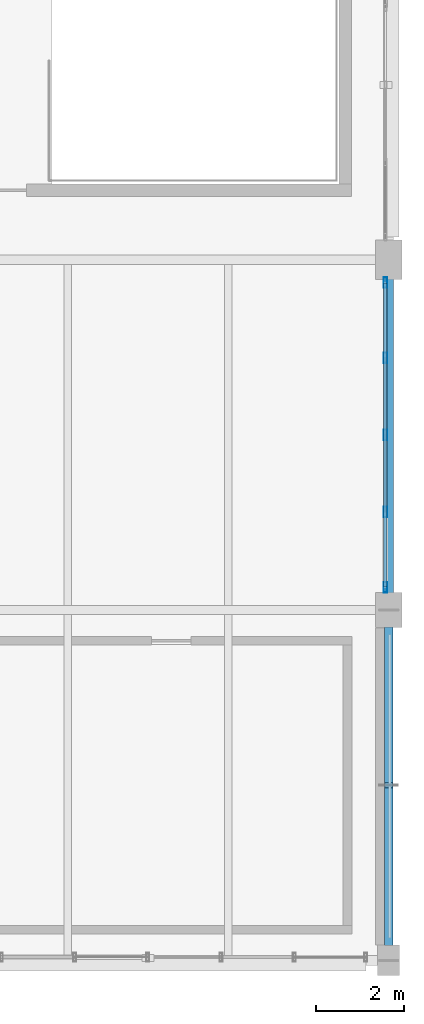
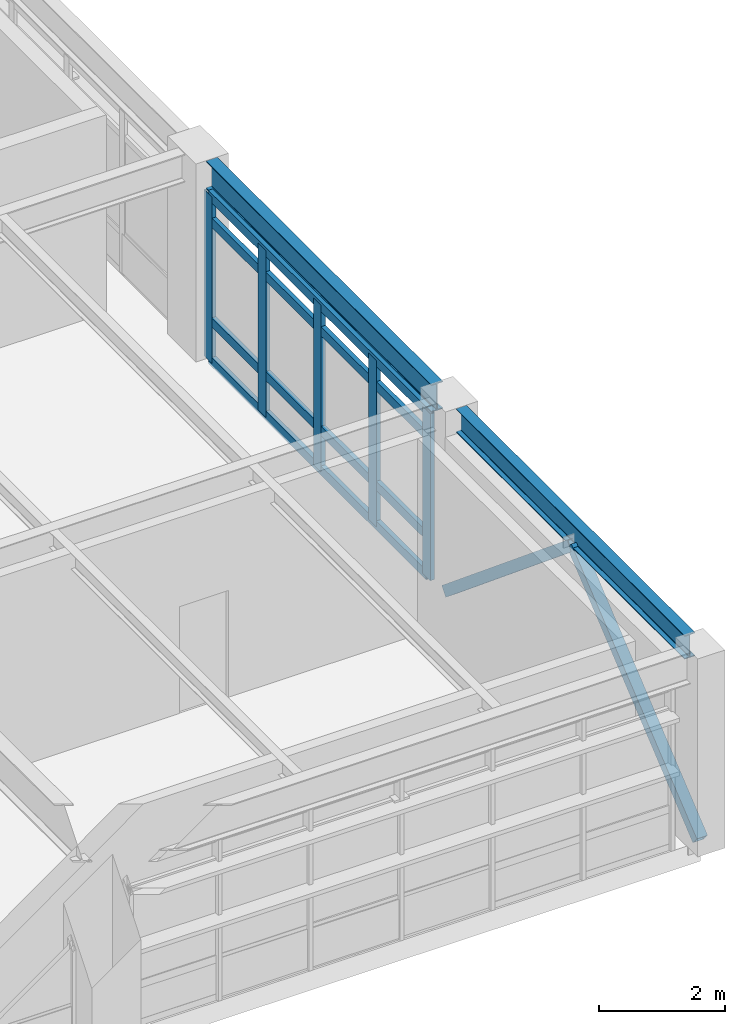
# One storey, part 19 of 26: 11 members, 2 beams, 1 element without a shape of its own.
"""IFC4 building model written with IfcOpenShell, lengths in metres."""

from ifc_helpers import new_model, si_unit, direction, frame, origin, origin_2d, place, context, subcontext, project, spatial, hollow_rectangle, i_section, extrude, material, material_profile, profile_set, type_object, element, aggregate, save


model = new_model("IFC4")

# Units and contexts
model_context = context("Model", 3, precision=1e-05, world=origin(), true_north=direction((0.0, 1.0)))
body_context = subcontext(model_context, "Body", "Model", "MODEL_VIEW")
ifc_project = project(units=[si_unit("LENGTHUNIT", "METRE"), si_unit("AREAUNIT", "SQUARE_METRE"), si_unit("VOLUMEUNIT", "CUBIC_METRE"), si_unit("PLANEANGLEUNIT", "RADIAN"), si_unit("MASSUNIT", "GRAM", prefix="KILO"), si_unit("THERMODYNAMICTEMPERATUREUNIT", "KELVIN"), si_unit("POWERUNIT", "WATT")], contexts=[model_context])

# Site, building, storey
site_placement = place(None, origin())
site = spatial("IfcSite", under=ifc_project, at=site_placement, CompositionType="ELEMENT")
building_placement = place(site_placement, origin())
building = spatial("IfcBuilding", under=site, at=building_placement, Name="Tepalcoro Natatorium and Aquatics Centre", CompositionType="ELEMENT")
storey_placement = place(building_placement, frame((0.0, 0.0, 19.0)))
storey = spatial("IfcBuildingStorey", under=building, at=storey_placement, Name="L04", CompositionType="ELEMENT", Elevation=19.0)

# Curtain wall, members
ifc_material_1 = material(Name="Bronze-Anodised Extruded Aluminium Alloy EN AW-6063 T6", Category="aluminium")
curtain_wall_type = type_object("IfcCurtainWallType", Name="CW_LEAN_T2_NS", PredefinedType="USERDEFINED", material=ifc_material_1)
curtain_wall_placement = place(storey_placement, origin())
curtain_wall = element("IfcCurtainWall", 1, at=curtain_wall_placement, inside=storey, type_object=curtain_wall_type, Name="V5 L04 E Unitised Curtain Wall Bay 2", ObjectType="FACETED SOLAR GLAZING", PredefinedType="USERDEFINED")
ifc_material_profile_1 = material_profile(ifc_material_1, hollow_rectangle(XDim=0.080078125, YDim=0.239990234375, WallThickness=0.0048828125, at=origin_2d()), Name="AL80X240X5")
ifc_profile_set_1 = profile_set([ifc_material_profile_1], Name="Bronze-Anodised Extruded Aluminium Alloy EN AW-6063 T6")
member_type_1 = type_object("IfcMemberType", Name="CW_MUL_80x240", PredefinedType="MULLION", material=ifc_profile_set_1)
member_1_placement = place(storey_placement, frame((175.923828125, 102.52001953125, 0.02001953125), z_axis=(0.0, 0.0, 1.0), x_axis=(1.0, 0.0, 0.0)))
member_1 = element("IfcMember", 2, at=member_1_placement, type_object=member_type_1, Name="CW_LEAN_T2_NS Curtain Wall Mullion", PredefinedType="MULLION", context=body_context, shape_type="SweptSolid", body=[
    extrude(hollow_rectangle(XDim=0.080078125, YDim=0.239990234375, WallThickness=0.0048828125, at=origin_2d()), origin(), (0.0, 0.0, 1.0), 3.243896484375),
])
member_2_placement = place(storey_placement, frame((175.923828125, 104.239990234375, 0.02001953125), z_axis=(0.0, 0.0, 1.0), x_axis=(1.0, 0.0, 0.0)))
member_2 = element("IfcMember", 3, at=member_2_placement, type_object=member_type_1, Name="CW_LEAN_T2_NS Curtain Wall Mullion", PredefinedType="MULLION", context=body_context, shape_type="SweptSolid", body=[
    extrude(hollow_rectangle(XDim=0.080078125, YDim=0.239990234375, WallThickness=0.0048828125, at=origin_2d()), origin(), (0.0, 0.0, 1.0), 3.243896484375),
])
member_3_placement = place(storey_placement, frame((175.923828125, 106.0, 0.02001953125), z_axis=(0.0, 0.0, 1.0), x_axis=(1.0, 0.0, 0.0)))
member_3 = element("IfcMember", 4, at=member_3_placement, type_object=member_type_1, Name="CW_LEAN_T2_NS Curtain Wall Mullion", PredefinedType="MULLION", context=body_context, shape_type="SweptSolid", body=[
    extrude(hollow_rectangle(XDim=0.080078125, YDim=0.239990234375, WallThickness=0.0048828125, at=origin_2d()), origin(), (0.0, 0.0, 1.0), 3.243896484375),
])
member_4_placement = place(storey_placement, frame((175.923828125, 107.760009765625, 0.02001953125), z_axis=(0.0, 0.0, 1.0), x_axis=(1.0, 0.0, 0.0)))
member_4 = element("IfcMember", 5, at=member_4_placement, type_object=member_type_1, Name="CW_LEAN_T2_NS Curtain Wall Mullion", PredefinedType="MULLION", context=body_context, shape_type="SweptSolid", body=[
    extrude(hollow_rectangle(XDim=0.080078125, YDim=0.239990234375, WallThickness=0.0048828125, at=origin_2d()), origin(), (0.0, 0.0, 1.0), 3.243896484375),
])
member_5_placement = place(storey_placement, frame((175.923828125, 109.47998046875, 0.02001953125), z_axis=(0.0, 0.0, 1.0), x_axis=(1.0, 0.0, 0.0)))
member_5 = element("IfcMember", 6, at=member_5_placement, type_object=member_type_1, Name="CW_LEAN_T2_NS Curtain Wall Mullion", PredefinedType="MULLION", context=body_context, shape_type="SweptSolid", body=[
    extrude(hollow_rectangle(XDim=0.080078125, YDim=0.239990234375, WallThickness=0.0048828125, at=origin_2d()), origin(), (0.0, 0.0, 1.0), 3.243896484375),
])
ifc_material_profile_2 = material_profile(ifc_material_1, hollow_rectangle(XDim=0.080078125, YDim=0.179931640625, WallThickness=0.0048828125, at=origin_2d()), Name="AL80X180X5")
ifc_profile_set_2 = profile_set([ifc_material_profile_2], Name="Bronze-Anodised Extruded Aluminium Alloy EN AW-6063 T6")
member_type_2 = type_object("IfcMemberType", Name="CW_TRN_80x180", PredefinedType="USERDEFINED", material=ifc_profile_set_2)
member_6_placement = place(storey_placement, frame((175.923828125, 102.530029296875, 0.050048828125), z_axis=(0.0, 1.0, 0.0), x_axis=(-1.0, 0.0, 0.0)))
member_6 = element("IfcMember", 7, at=member_6_placement, type_object=member_type_2, Name="CW_LEAN_T2_NS Curtain Wall Transom", ObjectType="TRANSOM", PredefinedType="USERDEFINED", context=body_context, shape_type="SweptSolid", body=[
    extrude(hollow_rectangle(XDim=0.080078125, YDim=0.179931640625, WallThickness=0.0048828125, at=origin_2d()), origin(), (0.0, 0.0, 1.0), 6.93994140625),
])
member_7_placement = place(storey_placement, frame((175.923828125, 102.530029296875, 0.821044921875), z_axis=(0.0, 1.0, 0.0), x_axis=(-1.0, 0.0, 0.0)))
member_7 = element("IfcMember", 8, at=member_7_placement, type_object=member_type_2, Name="CW_LEAN_T2_NS Curtain Wall Transom", ObjectType="TRANSOM", PredefinedType="USERDEFINED", context=body_context, shape_type="SweptSolid", body=[
    extrude(hollow_rectangle(XDim=0.080078125, YDim=0.179931640625, WallThickness=0.0048828125, at=origin_2d()), origin(), (0.0, 0.0, 1.0), 6.93994140625),
])
member_8_placement = place(storey_placement, frame((175.923828125, 102.530029296875, 2.758544921875), z_axis=(0.0, 1.0, 0.0), x_axis=(-1.0, 0.0, 0.0)))
member_8 = element("IfcMember", 9, at=member_8_placement, type_object=member_type_2, Name="CW_LEAN_T2_NS Curtain Wall Transom", ObjectType="TRANSOM", PredefinedType="USERDEFINED", context=body_context, shape_type="SweptSolid", body=[
    extrude(hollow_rectangle(XDim=0.080078125, YDim=0.179931640625, WallThickness=0.0048828125, at=origin_2d()), origin(), (0.0, 0.0, 1.0), 6.93994140625),
])
member_9_placement = place(storey_placement, frame((175.923828125, 102.530029296875, 3.23388671875), z_axis=(0.0, 1.0, 0.0), x_axis=(-1.0, 0.0, 0.0)))
member_9 = element("IfcMember", 10, at=member_9_placement, type_object=member_type_2, Name="CW_LEAN_T2_NS Curtain Wall Transom", ObjectType="TRANSOM", PredefinedType="USERDEFINED", context=body_context, shape_type="SweptSolid", body=[
    extrude(hollow_rectangle(XDim=0.080078125, YDim=0.179931640625, WallThickness=0.0048828125, at=origin_2d()), origin(), (0.0, 0.0, 1.0), 6.93994140625),
])
aggregate(curtain_wall, [member_1, member_2, member_3, member_4, member_5, member_6, member_7, member_8, member_9])

# Members
ifc_material_2 = material(Name="Hollow Steel ASTM A500 Grade C (Fy 345 MPa)", Category="steel")
ifc_material_profile_3 = material_profile(ifc_material_2, hollow_rectangle(XDim=0.199951171875, YDim=0.199951171875, WallThickness=0.011962890625, at=origin_2d()), Name="HSS200X200X12")
ifc_profile_set_3 = profile_set([ifc_material_profile_3], Name="Hollow Steel ASTM A500 Grade C (Fy 345 MPa)")
member_type_3 = type_object("IfcMemberType", Name="MB_BR_HSS200x200x12", PredefinedType="BRACE", material=ifc_profile_set_3)
for number, where, z_axis, x_axis, name in (
    (11, (176.0, 94.0, 0.050048828125), (0.0, 0.770421399186, 0.637534993296), (-1.0, 0.0, 0.0), "V5 L04 Chevron Lateral Brace"),
    (12, (176.0, 102.0, 0.050048828125), (0.0, -0.770421399186, 0.637534993296), (1.0, 0.0, 0.0), "V5 L04 Chevron Lateral Brace"),
):
    element("IfcMember", number, at=place(storey_placement, frame(where, z_axis=z_axis, x_axis=x_axis)), inside=storey, type_object=member_type_3, Name=name, PredefinedType="BRACE", context=body_context, shape_type="SweptSolid", body=[
        extrude(hollow_rectangle(XDim=0.199951171875, YDim=0.199951171875, WallThickness=0.011962890625, at=origin_2d()), origin(), (0.0, 0.0, 1.0), 5.19189453125),
    ])

# Beams
ifc_material_3 = material(Name="Steel ASTM A992 Grade 50 (Fy 345 MPa)", Category="steel")
ifc_material_profile_4 = material_profile(ifc_material_3, i_section(OverallWidth=0.19091796875, OverallDepth=0.4599609375, WebThickness=0.010009765625, FlangeThickness=0.01611328125, FilletRadius=0.013916015625, at=origin_2d()), Name="W18X55")
ifc_profile_set_4 = profile_set([ifc_material_profile_4], Name="Steel ASTM A992 Grade 50 (Fy 345 MPa)")
beam_type_1 = type_object("IfcBeamType", Name="SP_W18x55", PredefinedType="SPANDREL", material=ifc_profile_set_4)
beam_1_placement = place(storey_placement, frame((176.0, 94.3349609375, 3.60498046875), z_axis=(0.0, 1.0, 0.0), x_axis=(-1.0, 0.0, 0.0)))
element("IfcBeam", 13, at=beam_1_placement, inside=storey, type_object=beam_type_1, Name="V5 L04 Grid Girder Y", PredefinedType="SPANDREL", context=body_context, shape_type="SweptSolid", body=[
    extrude(i_section(OverallWidth=0.19091796875, OverallDepth=0.4599609375, WebThickness=0.010009765625, FlangeThickness=0.01611328125, FilletRadius=0.013916015625, at=origin_2d()), origin(), (0.0, 0.0, 1.0), 7.280029296875),
])
ifc_material_profile_5 = material_profile(ifc_material_3, i_section(OverallWidth=0.2099609375, OverallDepth=0.535888671875, WebThickness=0.010986328125, FlangeThickness=0.01708984375, FilletRadius=0.013916015625, at=origin_2d()), Name="W21X68")
ifc_profile_set_5 = profile_set([ifc_material_profile_5], Name="Steel ASTM A992 Grade 50 (Fy 345 MPa)")
beam_type_2 = type_object("IfcBeamType", Name="SP_W21x68", PredefinedType="SPANDREL", material=ifc_profile_set_5)
beam_2_placement = place(storey_placement, frame((176.0, 102.385009765625, 3.56689453125), z_axis=(0.0, 1.0, 0.0), x_axis=(-1.0, 0.0, 0.0)))
element("IfcBeam", 14, at=beam_2_placement, inside=storey, type_object=beam_type_2, Name="V5 L04 Grid Girder Y", PredefinedType="SPANDREL", context=body_context, shape_type="SweptSolid", body=[
    extrude(i_section(OverallWidth=0.2099609375, OverallDepth=0.535888671875, WebThickness=0.010986328125, FlangeThickness=0.01708984375, FilletRadius=0.013916015625, at=origin_2d()), origin(), (0.0, 0.0, 1.0), 7.179931640625),
])

save(model, "model.ifc")
